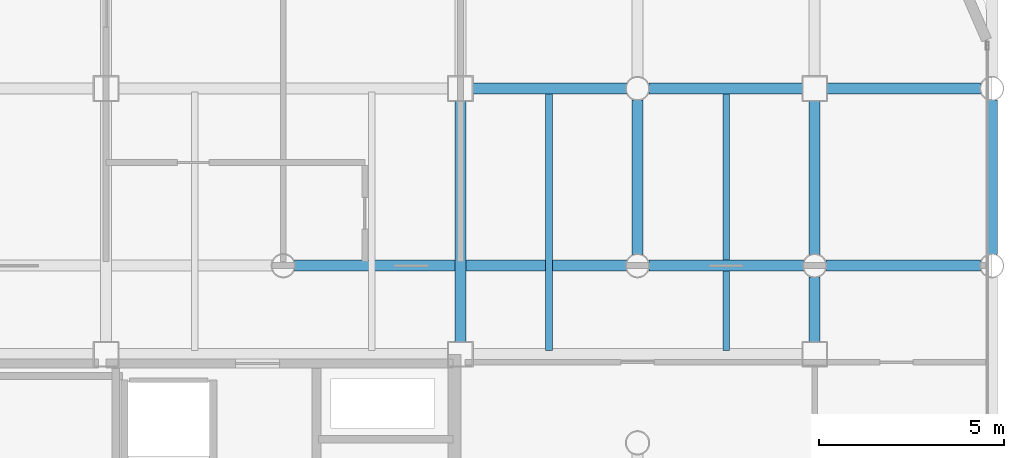
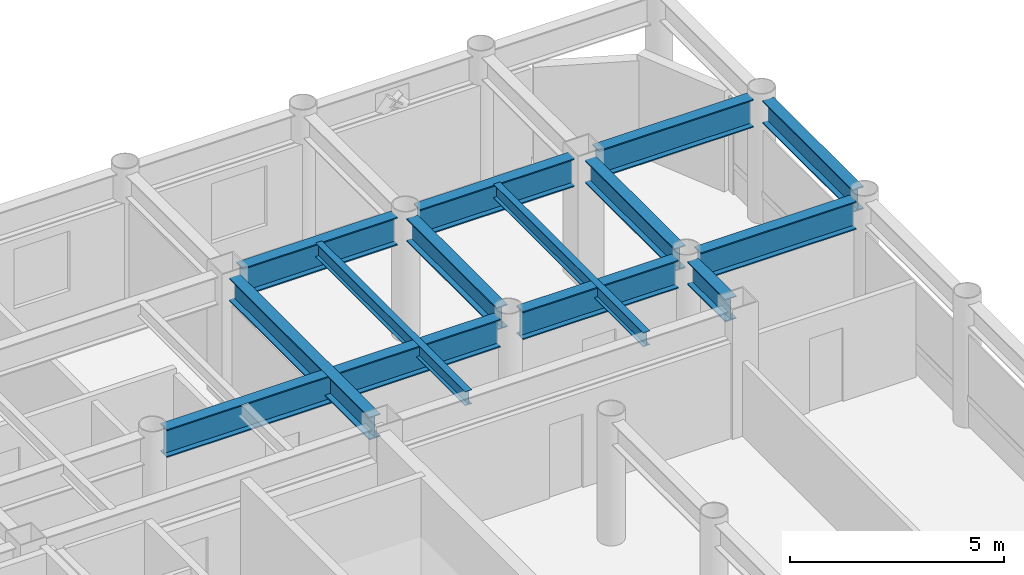
# One storey, part 13 of 20: 13 beams.
"""IFC4 building model written with IfcOpenShell, lengths in metres."""

from ifc_helpers import new_model, si_unit, direction, frame, origin, origin_2d, place, context, subcontext, project, spatial, i_section, extrude, material, material_profile, profile_set, type_object, element, save


model = new_model("IFC4")

# Units and contexts
model_context = context("Model", 3, precision=1e-05, world=origin(), true_north=direction((0.0, 1.0)))
body_context = subcontext(model_context, "Body", "Model", "MODEL_VIEW")
ifc_project = project(units=[si_unit("LENGTHUNIT", "METRE"), si_unit("AREAUNIT", "SQUARE_METRE"), si_unit("VOLUMEUNIT", "CUBIC_METRE"), si_unit("PLANEANGLEUNIT", "RADIAN"), si_unit("MASSUNIT", "GRAM", prefix="KILO")], contexts=[model_context])

# Site, building, storey
site_placement = place(None, origin())
site = spatial("IfcSite", under=ifc_project, at=site_placement, CompositionType="ELEMENT")
building_placement = place(site_placement, origin())
building = spatial("IfcBuilding", under=site, at=building_placement, Name="Kallvorn Hotel Tower", CompositionType="ELEMENT")
storey_placement = place(building_placement, frame((0.0, 0.0, 161.800048828125)))
storey = spatial("IfcBuildingStorey", under=building, at=storey_placement, Name="L40", CompositionType="ELEMENT", Elevation=161.800048828125)

# Beams
ifc_material_1 = material(Name="Structural steel S355JR", Category="steel")
ifc_material_profile_1 = material_profile(ifc_material_1, i_section(OverallWidth=0.300048828125, OverallDepth=0.64990234375, WebThickness=0.01611328125, FlangeThickness=0.031005859375, at=origin_2d()), Name="HE 650 B")
ifc_profile_set_1 = profile_set([ifc_material_profile_1], Name="Structural steel S355JR")
beam_type_1 = type_object("IfcBeamType", Name="BM_HE650B", PredefinedType="BEAM", material=ifc_profile_set_1)
beam_1_placement = place(storey_placement, frame((14.39990234375, 7.52490234375, 3.195068359375), z_axis=(0.0, 1.0, 0.0), x_axis=(-1.0, 0.0, 0.0)))
element("IfcBeam", 1, at=beam_1_placement, inside=storey, type_object=beam_type_1, Name="L41 Primary Y-Girder 125", PredefinedType="BEAM", context=body_context, shape_type="SweptSolid", body=[
    extrude(i_section(OverallWidth=0.300048828125, OverallDepth=0.64990234375, WebThickness=0.01611328125, FlangeThickness=0.031005859375, at=origin_2d()), origin(), (0.0, 0.0, 1.0), 6.550048828125),
])
beam_2_placement = place(storey_placement, frame((19.199951171875, 9.905029296875, 3.195068359375), z_axis=(0.0, 1.0, 0.0), x_axis=(-1.0, 0.0, 0.0)))
element("IfcBeam", 2, at=beam_2_placement, inside=storey, type_object=beam_type_1, Name="L41 Primary Y-Girder 134", PredefinedType="BEAM", context=body_context, shape_type="SweptSolid", body=[
    extrude(i_section(OverallWidth=0.300048828125, OverallDepth=0.64990234375, WebThickness=0.01611328125, FlangeThickness=0.031005859375, at=origin_2d()), origin(), (0.0, 0.0, 1.0), 4.18994140625),
])
beam_3_placement = place(storey_placement, frame((24.0, 7.52490234375, 3.195068359375), z_axis=(0.0, 1.0, 0.0), x_axis=(-1.0, 0.0, 0.0)))
element("IfcBeam", 3, at=beam_3_placement, inside=storey, type_object=beam_type_1, Name="L41 Primary Y-Girder 140", PredefinedType="BEAM", context=body_context, shape_type="SweptSolid", body=[
    extrude(i_section(OverallWidth=0.300048828125, OverallDepth=0.64990234375, WebThickness=0.01611328125, FlangeThickness=0.031005859375, at=origin_2d()), origin(), (0.0, 0.0, 1.0), 1.77001953125),
])
beam_4_placement = place(storey_placement, frame((24.0, 9.905029296875, 3.195068359375), z_axis=(0.0, 1.0, 0.0), x_axis=(-1.0, 0.0, 0.0)))
element("IfcBeam", 4, at=beam_4_placement, inside=storey, type_object=beam_type_1, Name="L41 Primary Y-Girder 141", PredefinedType="BEAM", context=body_context, shape_type="SweptSolid", body=[
    extrude(i_section(OverallWidth=0.300048828125, OverallDepth=0.64990234375, WebThickness=0.01611328125, FlangeThickness=0.031005859375, at=origin_2d()), origin(), (0.0, 0.0, 1.0), 4.169921875),
])
beam_5_placement = place(storey_placement, frame((28.800048828125, 9.905029296875, 3.195068359375), z_axis=(0.0, 1.0, 0.0), x_axis=(-1.0, 0.0, 0.0)))
element("IfcBeam", 5, at=beam_5_placement, inside=storey, type_object=beam_type_1, Name="L41 Primary Y-Girder 149", PredefinedType="BEAM", context=body_context, shape_type="SweptSolid", body=[
    extrude(i_section(OverallWidth=0.300048828125, OverallDepth=0.64990234375, WebThickness=0.01611328125, FlangeThickness=0.031005859375, at=origin_2d()), origin(), (0.0, 0.0, 1.0), 4.18994140625),
])
ifc_material_2 = material(Name="Structural steel S355JR", Category="steel")
ifc_material_profile_2 = material_profile(ifc_material_2, i_section(OverallWidth=0.300048828125, OverallDepth=0.800048828125, WebThickness=0.017578125, FlangeThickness=0.032958984375, at=origin_2d()), Name="HE 800 B")
ifc_profile_set_2 = profile_set([ifc_material_profile_2], Name="Structural steel S355JR")
beam_type_2 = type_object("IfcBeamType", Name="BM_HE800B", PredefinedType="BEAM", material=ifc_profile_set_2)
beam_6_placement = place(storey_placement, frame((9.905029296875, 9.60009765625, 3.119873046875), z_axis=(1.0, 0.0, 0.0), x_axis=(0.0, 1.0, 0.0)))
element("IfcBeam", 6, at=beam_6_placement, inside=storey, type_object=beam_type_2, Name="L41 Primary X-Girder 48", PredefinedType="BEAM", context=body_context, shape_type="SweptSolid", body=[
    extrude(i_section(OverallWidth=0.300048828125, OverallDepth=0.800048828125, WebThickness=0.017578125, FlangeThickness=0.032958984375, at=origin_2d()), origin(), (0.0, 0.0, 1.0), 8.989990234375),
])
for number, where, z_axis, x_axis, name in (
    (7, (19.5048828125, 9.60009765625, 3.119873046875), (1.0, 0.0, 0.0), (0.0, 1.0, 0.0), "L41 Primary X-Girder 49"),
    (8, (24.304931640625, 9.60009765625, 3.119873046875), (1.0, 0.0, 0.0), (0.0, 1.0, 0.0), "L41 Primary X-Girder 50"),
):
    element("IfcBeam", number, at=place(storey_placement, frame(where, z_axis=z_axis, x_axis=x_axis)), inside=storey, type_object=beam_type_2, Name=name, PredefinedType="BEAM", context=body_context, shape_type="SweptSolid", body=[
        extrude(i_section(OverallWidth=0.300048828125, OverallDepth=0.800048828125, WebThickness=0.017578125, FlangeThickness=0.032958984375, at=origin_2d()), origin(), (0.0, 0.0, 1.0), 4.190185546875),
    ])
beam_7_placement = place(storey_placement, frame((14.72509765625, 14.39990234375, 3.119873046875), z_axis=(1.0, 0.0, 0.0), x_axis=(0.0, 1.0, 0.0)))
element("IfcBeam", 9, at=beam_7_placement, inside=storey, type_object=beam_type_2, Name="L41 Primary X-Girder 58", PredefinedType="BEAM", context=body_context, shape_type="SweptSolid", body=[
    extrude(i_section(OverallWidth=0.300048828125, OverallDepth=0.800048828125, WebThickness=0.017578125, FlangeThickness=0.032958984375, at=origin_2d()), origin(), (0.0, 0.0, 1.0), 4.169921875),
])
for number, where, z_axis, x_axis, name in (
    (10, (19.5048828125, 14.39990234375, 3.119873046875), (1.0, 0.0, 0.0), (0.0, 1.0, 0.0), "L41 Primary X-Girder 59"),
    (11, (24.324951171875, 14.39990234375, 3.119873046875), (1.0, 0.0, 0.0), (0.0, 1.0, 0.0), "L41 Primary X-Girder 60"),
):
    element("IfcBeam", number, at=place(storey_placement, frame(where, z_axis=z_axis, x_axis=x_axis)), inside=storey, type_object=beam_type_2, Name=name, PredefinedType="BEAM", context=body_context, shape_type="SweptSolid", body=[
        extrude(i_section(OverallWidth=0.300048828125, OverallDepth=0.800048828125, WebThickness=0.017578125, FlangeThickness=0.032958984375, at=origin_2d()), origin(), (0.0, 0.0, 1.0), 4.170166015625),
    ])
ifc_material_3 = material(Name="Structural steel S355JR", Category="steel")
ifc_material_profile_3 = material_profile(ifc_material_3, i_section(OverallWidth=0.179931640625, OverallDepth=0.39990234375, WebThickness=0.008544921875, FlangeThickness=0.013427734375, at=origin_2d()), Name="IPE 400")
ifc_profile_set_3 = profile_set([ifc_material_profile_3], Name="Structural steel S355JR")
beam_type_3 = type_object("IfcBeamType", Name="BM_IPE400", PredefinedType="JOIST", material=ifc_profile_set_3)
for number, where, z_axis, x_axis, name in (
    (12, (16.800048828125, 7.300048828125, 3.320068359375), (0.0, 1.0, 0.0), (-1.0, 0.0, 0.0), "L41 Secondary Composite Joist 207"),
    (13, (21.60009765625, 7.300048828125, 3.320068359375), (0.0, 1.0, 0.0), (-1.0, 0.0, 0.0), "L41 Secondary Composite Joist 209"),
):
    element("IfcBeam", number, at=place(storey_placement, frame(where, z_axis=z_axis, x_axis=x_axis)), inside=storey, type_object=beam_type_3, Name=name, PredefinedType="JOIST", context=body_context, shape_type="SweptSolid", body=[
        extrude(i_section(OverallWidth=0.179931640625, OverallDepth=0.39990234375, WebThickness=0.008544921875, FlangeThickness=0.013427734375, at=origin_2d()), origin(), (0.0, 0.0, 1.0), 7.0),
    ])

save(model, "model.ifc")
